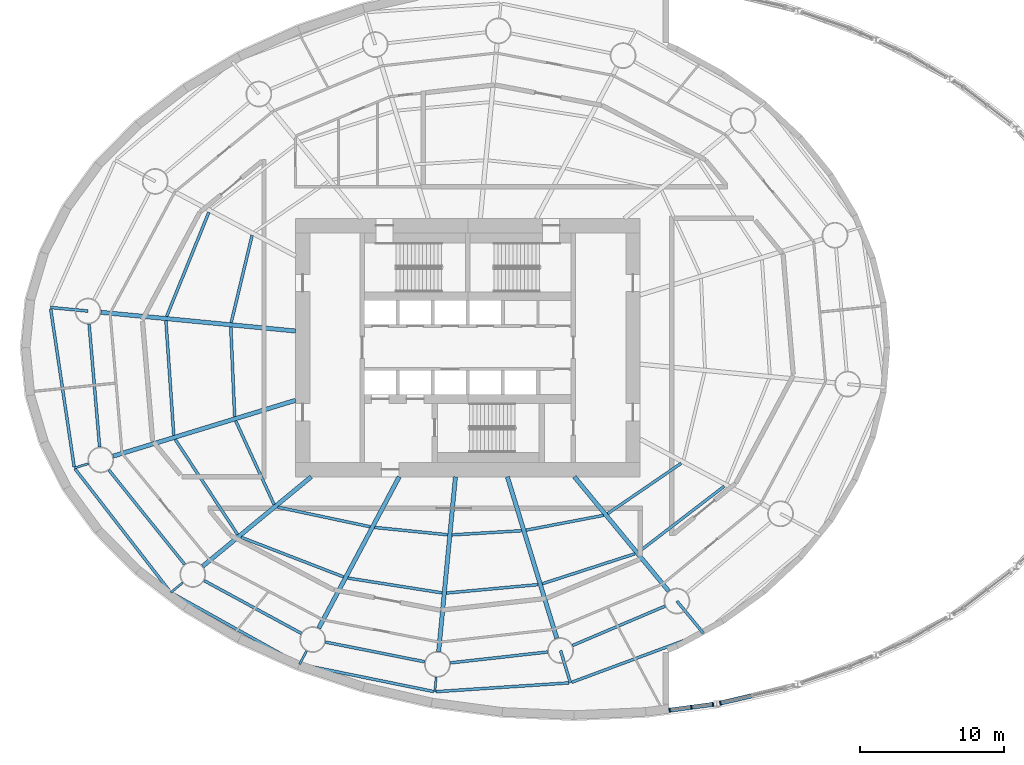
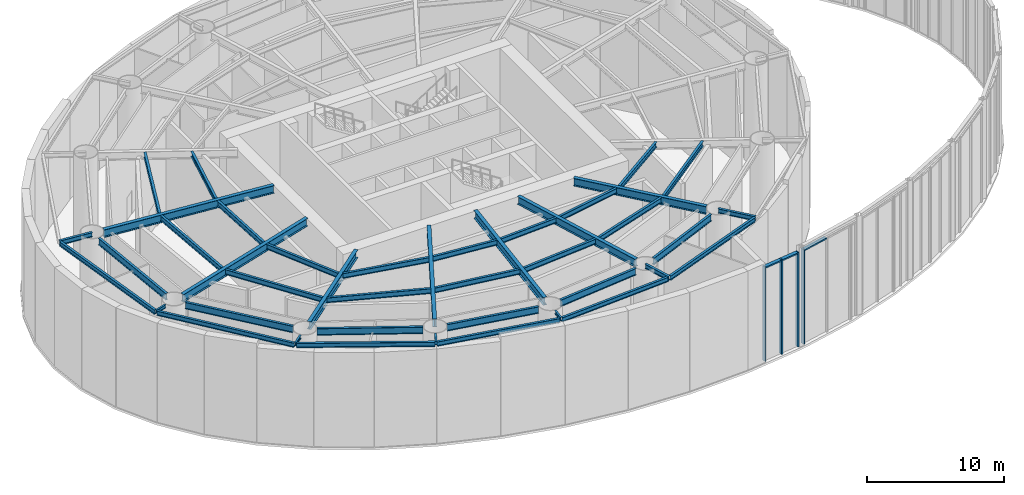
# One storey, part 4 of 19: 42 beams, 7 members, 2 elements without a shape of their own.
"""IFC4 building model written with IfcOpenShell, lengths in metres."""

from ifc_helpers import new_model, si_unit, direction, frame, origin, origin_2d, place, context, subcontext, project, spatial, rectangle, i_section, extrude, material, material_profile, profile_set, type_object, element, aggregate, save


model = new_model("IFC4")

# Units and contexts
model_context = context("Model", 3, precision=1e-05, world=origin(), true_north=direction((0.0, 1.0)))
body_context = subcontext(model_context, "Body", "Model", "MODEL_VIEW")
ifc_project = project(units=[si_unit("LENGTHUNIT", "METRE"), si_unit("AREAUNIT", "SQUARE_METRE"), si_unit("VOLUMEUNIT", "CUBIC_METRE"), si_unit("PLANEANGLEUNIT", "RADIAN"), si_unit("MASSUNIT", "GRAM", prefix="KILO")], contexts=[model_context])

# Site, building, storey
site_placement = place(None, origin())
site = spatial("IfcSite", under=ifc_project, at=site_placement, CompositionType="ELEMENT")
building_placement = place(site_placement, origin())
building = spatial("IfcBuilding", under=site, at=building_placement, Name="Vermilion Reach Broadcast Tower", CompositionType="ELEMENT")
storey_placement = place(building_placement, frame((0.0, 0.0, 17.0)))
storey = spatial("IfcBuildingStorey", under=building, at=storey_placement, Name="L02", CompositionType="ELEMENT", Elevation=17.0)

# Curtain wall, members
ifc_material_1 = material(Name="Low-e laminated clear glass in aluminium frame", Category="aluminium")
curtain_wall_type = type_object("IfcCurtainWallType", Name="Atrium outer wall curtain wall", PredefinedType="NOTDEFINED", material=ifc_material_1)
placement = place(storey_placement, origin())
curtain_wall_1 = element("IfcCurtainWall", 1, at=placement, inside=storey, type_object=curtain_wall_type, Name="Atrium wall L02 01", PredefinedType="NOTDEFINED")
ifc_material_2 = material(Name="Anodised aluminium", Category="aluminium")
ifc_material_profile_1 = material_profile(ifc_material_2, rectangle(XDim=0.300048828125, YDim=0.10009765625, at=origin_2d()), Name="Atrium outer wall mullion 100 x 300")
ifc_profile_set_1 = profile_set([ifc_material_profile_1], Name="Anodised aluminium")
member_type_1 = type_object("IfcMemberType", Name="Atrium outer wall mullion 100 x 300", PredefinedType="MULLION", material=ifc_profile_set_1)
member_1_placement = place(storey_placement, frame((8.062744140625, -25.257568359375, 0.0), z_axis=(0.0, 0.0, 1.0), x_axis=(-0.132793713723, 0.991143697753, 0.0)))
member_1 = element("IfcMember", 2, at=member_1_placement, type_object=member_type_1, Name="Atrium wall mullion L02 01.1", PredefinedType="MULLION", context=body_context, shape_type="SweptSolid", body=[
    extrude(rectangle(XDim=0.300048828125, YDim=0.10009765625, at=origin_2d()), origin(), (0.0, 0.0, 1.0), 8.409912109375),
])
member_2_placement = place(storey_placement, frame((9.569091796875, -25.055908203125, 0.0), z_axis=(0.0, 0.0, 1.0), x_axis=(-0.132793713723, 0.991143697753, 0.0)))
member_2 = element("IfcMember", 3, at=member_2_placement, type_object=member_type_1, Name="Atrium wall mullion L02 01.2", PredefinedType="MULLION", context=body_context, shape_type="SweptSolid", body=[
    extrude(rectangle(XDim=0.300048828125, YDim=0.10009765625, at=origin_2d()), origin(), (0.0, 0.0, 1.0), 8.409912109375),
])
member_3_placement = place(storey_placement, frame((11.075439453125, -24.85400390625, 0.0), z_axis=(0.0, 0.0, 1.0), x_axis=(-0.132793713723, 0.991143697753, 0.0)))
member_3 = element("IfcMember", 4, at=member_3_placement, type_object=member_type_1, Name="Atrium wall mullion L02 01.3", PredefinedType="MULLION", context=body_context, shape_type="SweptSolid", body=[
    extrude(rectangle(XDim=0.300048828125, YDim=0.10009765625, at=origin_2d()), origin(), (0.0, 0.0, 1.0), 8.409912109375),
])

# Curtain wall, member
curtain_wall_2 = element("IfcCurtainWall", 5, at=placement, inside=storey, type_object=curtain_wall_type, Name="Atrium wall L02 02", PredefinedType="NOTDEFINED")
member_4_placement = place(storey_placement, frame((11.594482421875, -24.760009765625, 0.0), z_axis=(0.0, 0.0, 1.0), x_axis=(-0.222891523278, 0.974843253478, 0.0)))
member_4 = element("IfcMember", 6, at=member_4_placement, type_object=member_type_1, Name="Atrium wall mullion L02 02.1", PredefinedType="MULLION", context=body_context, shape_type="SweptSolid", body=[
    extrude(rectangle(XDim=0.300048828125, YDim=0.10009765625, at=origin_2d()), origin(), (0.0, 0.0, 1.0), 8.409912109375),
])

# Member
ifc_material_3 = material(Name="Anodised aluminium", Category="aluminium")
ifc_material_profile_2 = material_profile(ifc_material_3, rectangle(XDim=0.300048828125, YDim=0.1201171875, at=origin_2d()), Name="Atrium outer wall transom 300 x 120")
ifc_profile_set_2 = profile_set([ifc_material_profile_2], Name="Anodised aluminium")
member_type_2 = type_object("IfcMemberType", Name="Atrium outer wall transom 300 x 120", PredefinedType="USERDEFINED", material=ifc_profile_set_2)
member_5_placement = place(storey_placement, frame((8.1123046875, -25.2509765625, 8.35009765625), z_axis=(0.991149634463, 0.132749395872, 0.0), x_axis=(-0.132749395872, 0.991149634463, 0.0)))
member_5 = element("IfcMember", 7, at=member_5_placement, type_object=member_type_2, Name="Atrium wall transom L02 01.1.2", ObjectType="TRANSOM", PredefinedType="USERDEFINED", context=body_context, shape_type="SweptSolid", body=[
    extrude(rectangle(XDim=0.300048828125, YDim=0.1201171875, at=origin_2d()), origin(), (0.0, 0.0, 1.0), 1.419677734375),
])

member_6_placement = place(storey_placement, frame((9.61865234375, -25.049072265625, 8.35009765625), z_axis=(0.991149634463, 0.132749395872, 0.0), x_axis=(-0.132749395872, 0.991149634463, 0.0)))
member_6 = element("IfcMember", 8, at=member_6_placement, type_object=member_type_2, Name="Atrium wall transom L02 01.2.2", ObjectType="TRANSOM", PredefinedType="USERDEFINED", context=body_context, shape_type="SweptSolid", body=[
    extrude(rectangle(XDim=0.300048828125, YDim=0.1201171875, at=origin_2d()), origin(), (0.0, 0.0, 1.0), 1.419677734375),
])

aggregate(curtain_wall_1, [member_1, member_2, member_3, member_5, member_6])

member_7_placement = place(storey_placement, frame((11.643310546875, -24.7490234375, 8.35009765625), z_axis=(0.97483071414, 0.222946358504, 0.0), x_axis=(-0.222946358504, 0.97483071414, 0.0)))
member_7 = element("IfcMember", 9, at=member_7_placement, type_object=member_type_2, Name="Atrium wall transom L02 02.1.2", ObjectType="TRANSOM", PredefinedType="USERDEFINED", context=body_context, shape_type="SweptSolid", body=[
    extrude(rectangle(XDim=0.300048828125, YDim=0.1201171875, at=origin_2d()), origin(), (0.0, 0.0, 1.0), 2.181396484375),
])

aggregate(curtain_wall_2, [member_4, member_7])

# Beams
ifc_material_4 = material(Name="Steel S355J2", Category="steel")
ifc_material_profile_3 = material_profile(ifc_material_4, i_section(OverallWidth=0.199951171875, OverallDepth=0.39990234375, WebThickness=0.008056640625, FlangeThickness=0.012939453125, at=origin_2d()), Name="S355J2 HN 400x200x8x13")
ifc_profile_set_3 = profile_set([ifc_material_profile_3], Name="Steel S355J2")
beam_type_1 = type_object("IfcBeamType", Name="EB1 HN 400x200x8x13", PredefinedType="BEAM", material=ifc_profile_set_3)
beam_1_placement = place(storey_placement, frame((-35.061279296875, 2.692626953125, 8.60009765625), z_axis=(0.147029010253, -0.98913218032, 0.0), x_axis=(0.98913218032, 0.147029010253, 0.0)))
element("IfcBeam", 10, at=beam_1_placement, inside=storey, type_object=beam_type_1, Name="Edge beam EB1-08", PredefinedType="BEAM", context=body_context, shape_type="SweptSolid", body=[
    extrude(i_section(OverallWidth=0.199951171875, OverallDepth=0.39990234375, WebThickness=0.008056640625, FlangeThickness=0.012939453125, at=origin_2d()), origin(), (0.0, 0.0, 1.0), 11.125244140625),
])
beam_2_placement = place(storey_placement, frame((-33.365234375, -8.449951171875, 8.60009765625), z_axis=(0.612374307057, -0.790567965488, 0.0), x_axis=(0.790567965488, 0.612374307057, 0.0)))
element("IfcBeam", 11, at=beam_2_placement, inside=storey, type_object=beam_type_1, Name="Edge beam EB1-09", PredefinedType="BEAM", context=body_context, shape_type="SweptSolid", body=[
    extrude(i_section(OverallWidth=0.199951171875, OverallDepth=0.39990234375, WebThickness=0.008056640625, FlangeThickness=0.012939453125, at=origin_2d()), origin(), (0.0, 0.0, 1.0), 10.821044921875),
])
beam_3_placement = place(storey_placement, frame((-26.62255859375, -17.10302734375, 8.60009765625), z_axis=(0.873686455295, -0.486489442674, 0.0), x_axis=(0.486489442674, 0.873686455295, 0.0)))
element("IfcBeam", 12, at=beam_3_placement, inside=storey, type_object=beam_type_1, Name="Edge beam EB1-10", PredefinedType="BEAM", context=body_context, shape_type="SweptSolid", body=[
    extrude(i_section(OverallWidth=0.199951171875, OverallDepth=0.39990234375, WebThickness=0.008056640625, FlangeThickness=0.012939453125, at=origin_2d()), origin(), (0.0, 0.0, 1.0), 10.110595703125),
])
beam_4_placement = place(storey_placement, frame((-17.64697265625, -22.07373046875, 8.60009765625), z_axis=(0.979888700242, -0.199544819871, 0.0), x_axis=(0.199544819871, 0.979888700242, 0.0)))
element("IfcBeam", 13, at=beam_4_placement, inside=storey, type_object=beam_type_1, Name="Edge beam EB1-11", PredefinedType="BEAM", context=body_context, shape_type="SweptSolid", body=[
    extrude(i_section(OverallWidth=0.199951171875, OverallDepth=0.39990234375, WebThickness=0.008056640625, FlangeThickness=0.012939453125, at=origin_2d()), origin(), (0.0, 0.0, 1.0), 9.458740234375),
])
beam_5_placement = place(storey_placement, frame((-8.228515625, -23.97119140625, 8.60009765625), z_axis=(0.997825669163, 0.065908527213, 0.0), x_axis=(-0.065908527213, 0.997825669163, 0.0)))
element("IfcBeam", 14, at=beam_5_placement, inside=storey, type_object=beam_type_1, Name="Edge beam EB1-12", PredefinedType="BEAM", context=body_context, shape_type="SweptSolid", body=[
    extrude(i_section(OverallWidth=0.199951171875, OverallDepth=0.39990234375, WebThickness=0.008056640625, FlangeThickness=0.012939453125, at=origin_2d()), origin(), (0.0, 0.0, 1.0), 9.290283203125),
])
beam_6_placement = place(storey_placement, frame((1.23779296875, -23.3173828125, 8.60009765625), z_axis=(0.9372716621, 0.348599815582, 0.0), x_axis=(-0.348599815582, 0.9372716621, 0.0)))
element("IfcBeam", 15, at=beam_6_placement, inside=storey, type_object=beam_type_1, Name="Edge beam EB1-13", PredefinedType="BEAM", context=body_context, shape_type="SweptSolid", body=[
    extrude(i_section(OverallWidth=0.199951171875, OverallDepth=0.39990234375, WebThickness=0.008056640625, FlangeThickness=0.012939453125, at=origin_2d()), origin(), (0.0, 0.0, 1.0), 9.684326171875),
])
ifc_material_5 = material(Name="Steel S355J2", Category="steel")
ifc_material_profile_4 = material_profile(ifc_material_5, i_section(OverallWidth=0.300048828125, OverallDepth=0.699951171875, WebThickness=0.012939453125, FlangeThickness=0.02392578125, at=origin_2d()), Name="S355J2 HN 700x300x13x24")
ifc_profile_set_4 = profile_set([ifc_material_profile_4], Name="Steel S355J2")
beam_type_2 = type_object("IfcBeamType", Name="G1 HN 700x300x13x24", PredefinedType="BEAM", material=ifc_profile_set_4)
beam_7_placement = place(storey_placement, frame((-18.0, 1.1533203125, 8.449951171875), z_axis=(-0.995412178872, 0.095679643363, 0.0), x_axis=(-0.095679643363, -0.995412178872, 0.0)))
element("IfcBeam", 16, at=beam_7_placement, inside=storey, type_object=beam_type_2, Name="Girder G1-08", PredefinedType="BEAM", context=body_context, shape_type="SweptSolid", body=[
    extrude(i_section(OverallWidth=0.300048828125, OverallDepth=0.699951171875, WebThickness=0.012939453125, FlangeThickness=0.02392578125, at=origin_2d()), origin(), (0.0, 0.0, 1.0), 13.630859375),
])
beam_8_placement = place(storey_placement, frame((-18.0, -3.671142578125, 8.449951171875), z_axis=(-0.956255735186, -0.292531996409, 0.0), x_axis=(0.292531996409, -0.956255735186, 0.0)))
element("IfcBeam", 17, at=beam_8_placement, inside=storey, type_object=beam_type_2, Name="Girder G1-09", PredefinedType="BEAM", context=body_context, shape_type="SweptSolid", body=[
    extrude(i_section(OverallWidth=0.300048828125, OverallDepth=0.699951171875, WebThickness=0.012939453125, FlangeThickness=0.02392578125, at=origin_2d()), origin(), (0.0, 0.0, 1.0), 13.29638671875),
])
beam_9_placement = place(storey_placement, frame((-16.9140625, -9.0, 8.449951171875), z_axis=(-0.771514256373, -0.636212034005, 0.0), x_axis=(0.636212034005, -0.771514256373, 0.0)))
element("IfcBeam", 18, at=beam_9_placement, inside=storey, type_object=beam_type_2, Name="Girder G1-10", PredefinedType="BEAM", context=body_context, shape_type="SweptSolid", body=[
    extrude(i_section(OverallWidth=0.300048828125, OverallDepth=0.699951171875, WebThickness=0.012939453125, FlangeThickness=0.02392578125, at=origin_2d()), origin(), (0.0, 0.0, 1.0), 9.796142578125),
])
beam_10_placement = place(storey_placement, frame((-10.783447265625, -9.0, 8.449951171875), z_axis=(-0.469312182262, -0.883032318537, 0.0), x_axis=(0.883032318537, -0.469312182262, 0.0)))
element("IfcBeam", 19, at=beam_10_placement, inside=storey, type_object=beam_type_2, Name="Girder G1-11", PredefinedType="BEAM", context=body_context, shape_type="SweptSolid", body=[
    extrude(i_section(OverallWidth=0.300048828125, OverallDepth=0.699951171875, WebThickness=0.012939453125, FlangeThickness=0.02392578125, at=origin_2d()), origin(), (0.0, 0.0, 1.0), 11.94091796875),
])
beam_11_placement = place(storey_placement, frame((-6.864990234375, -9.0, 8.449951171875), z_axis=(-0.09566673912, -0.995413419151, 0.0), x_axis=(0.995413419151, -0.09566673912, 0.0)))
element("IfcBeam", 20, at=beam_11_placement, inside=storey, type_object=beam_type_2, Name="Girder G1-12", PredefinedType="BEAM", context=body_context, shape_type="SweptSolid", body=[
    extrude(i_section(OverallWidth=0.300048828125, OverallDepth=0.699951171875, WebThickness=0.012939453125, FlangeThickness=0.02392578125, at=origin_2d()), origin(), (0.0, 0.0, 1.0), 12.22412109375),
])
beam_12_placement = place(storey_placement, frame((-3.246826171875, -9.0, 8.449951171875), z_axis=(0.292542302886, -0.95625258223, 0.0), x_axis=(0.95625258223, 0.292542302886, 0.0)))
element("IfcBeam", 21, at=beam_12_placement, inside=storey, type_object=beam_type_2, Name="Girder G1-13", PredefinedType="BEAM", context=body_context, shape_type="SweptSolid", body=[
    extrude(i_section(OverallWidth=0.300048828125, OverallDepth=0.699951171875, WebThickness=0.012939453125, FlangeThickness=0.02392578125, at=origin_2d()), origin(), (0.0, 0.0, 1.0), 11.76220703125),
])
beam_13_placement = place(storey_placement, frame((1.421630859375, -9.0, 8.449951171875), z_axis=(0.636215165107, -0.77151167437, 0.0), x_axis=(0.77151167437, 0.636215165107, 0.0)))
element("IfcBeam", 22, at=beam_13_placement, inside=storey, type_object=beam_type_2, Name="Girder G1-14", PredefinedType="BEAM", context=body_context, shape_type="SweptSolid", body=[
    extrude(i_section(OverallWidth=0.300048828125, OverallDepth=0.699951171875, WebThickness=0.012939453125, FlangeThickness=0.02392578125, at=origin_2d()), origin(), (0.0, 0.0, 1.0), 10.3251953125),
])
ifc_material_6 = material(Name="Steel S355J2", Category="steel")
ifc_material_profile_5 = material_profile(ifc_material_6, i_section(OverallWidth=0.199951171875, OverallDepth=0.39990234375, WebThickness=0.008056640625, FlangeThickness=0.012939453125, at=origin_2d()), Name="S355J2 HN 400x200x8x13")
ifc_profile_set_5 = profile_set([ifc_material_profile_5], Name="Steel S355J2")
beam_type_3 = type_object("IfcBeamType", Name="GC1 HN 400x200x8x13", PredefinedType="BEAM", material=ifc_profile_set_5)
beam_14_placement = place(storey_placement, frame((-32.464111328125, 2.54345703125, 8.60009765625), z_axis=(-0.995407665441, 0.095726587639, 0.0), x_axis=(-0.095726587639, -0.995407665441, 0.0)))
element("IfcBeam", 23, at=beam_14_placement, inside=storey, type_object=beam_type_3, Name="Cantilever girder GC1-08", PredefinedType="BEAM", context=body_context, shape_type="SweptSolid", body=[
    extrude(i_section(OverallWidth=0.199951171875, OverallDepth=0.39990234375, WebThickness=0.008056640625, FlangeThickness=0.012939453125, at=origin_2d()), origin(), (0.0, 0.0, 1.0), 2.624267578125),
])
beam_15_placement = place(storey_placement, frame((0.45751953125, -21.108154296875, 8.60009765625), z_axis=(0.292535678809, -0.956254608681, 0.0), x_axis=(0.956254608681, 0.292535678809, 0.0)))
element("IfcBeam", 24, at=beam_15_placement, inside=storey, type_object=beam_type_3, Name="Cantilever girder GC1-13", PredefinedType="BEAM", context=body_context, shape_type="SweptSolid", body=[
    extrude(i_section(OverallWidth=0.199951171875, OverallDepth=0.39990234375, WebThickness=0.008056640625, FlangeThickness=0.012939453125, at=origin_2d()), origin(), (0.0, 0.0, 1.0), 2.346923828125),
])
beam_16_placement = place(storey_placement, frame((8.563232421875, -17.660400390625, 8.60009765625), z_axis=(0.636213137876, -0.771513346089, 0.0), x_axis=(0.771513346089, 0.636213137876, 0.0)))
element("IfcBeam", 25, at=beam_16_placement, inside=storey, type_object=beam_type_3, Name="Cantilever girder GC1-14", PredefinedType="BEAM", context=body_context, shape_type="SweptSolid", body=[
    extrude(i_section(OverallWidth=0.199951171875, OverallDepth=0.39990234375, WebThickness=0.008056640625, FlangeThickness=0.012939453125, at=origin_2d()), origin(), (0.0, 0.0, 1.0), 2.90869140625),
])
ifc_material_7 = material(Name="Steel S355J2", Category="steel")
ifc_material_profile_6 = material_profile(ifc_material_7, i_section(OverallWidth=0.14990234375, OverallDepth=0.300048828125, WebThickness=0.006591796875, FlangeThickness=0.009033203125, at=origin_2d()), Name="S355J2 HN 300x150x6.5x9")
ifc_profile_set_6 = profile_set([ifc_material_profile_6], Name="Steel S355J2")
beam_type_4 = type_object("IfcBeamType", Name="GS1 HN 300x150x6.5x9", PredefinedType="BEAM", material=ifc_profile_set_6)
beam_17_placement = place(storey_placement, frame((-32.43603515625, -8.08740234375, 8.64990234375), z_axis=(-0.956262624381, -0.292509475422, 0.0), x_axis=(0.292509475422, -0.956262624381, 0.0)))
element("IfcBeam", 26, at=beam_17_placement, inside=storey, type_object=beam_type_4, Name="Cantilever stub GS1-09", PredefinedType="BEAM", context=body_context, shape_type="SweptSolid", body=[
    extrude(i_section(OverallWidth=0.14990234375, OverallDepth=0.300048828125, WebThickness=0.006591796875, FlangeThickness=0.009033203125, at=origin_2d()), origin(), (0.0, 0.0, 1.0), 1.023193359375),
])
beam_18_placement = place(storey_placement, frame((-25.860595703125, -16.377685546875, 8.64990234375), z_axis=(-0.771531570629, -0.636191036972, 0.0), x_axis=(0.636191036972, -0.771531570629, 0.0)))
element("IfcBeam", 27, at=beam_18_placement, inside=storey, type_object=beam_type_4, Name="Cantilever stub GS1-10", PredefinedType="BEAM", context=body_context, shape_type="SweptSolid", body=[
    extrude(i_section(OverallWidth=0.14990234375, OverallDepth=0.300048828125, WebThickness=0.006591796875, FlangeThickness=0.009033203125, at=origin_2d()), origin(), (0.0, 0.0, 1.0), 1.07861328125),
])
beam_19_placement = place(storey_placement, frame((-17.232177734375, -21.1337890625, 8.64990234375), z_axis=(-0.469462125124, -0.882952610888, 0.0), x_axis=(0.882952610888, -0.469462125124, 0.0)))
element("IfcBeam", 28, at=beam_19_placement, inside=storey, type_object=beam_type_4, Name="Cantilever stub GS1-11", PredefinedType="BEAM", context=body_context, shape_type="SweptSolid", body=[
    extrude(i_section(OverallWidth=0.14990234375, OverallDepth=0.300048828125, WebThickness=0.006591796875, FlangeThickness=0.009033203125, at=origin_2d()), origin(), (0.0, 0.0, 1.0), 1.046875),
])
beam_20_placement = place(storey_placement, frame((-8.206787109375, -22.959716796875, 8.64990234375), z_axis=(-0.095621304963, -0.99541778467, 0.0), x_axis=(0.99541778467, -0.095621304963, 0.0)))
element("IfcBeam", 29, at=beam_20_placement, inside=storey, type_object=beam_type_4, Name="Cantilever stub GS1-12", PredefinedType="BEAM", context=body_context, shape_type="SweptSolid", body=[
    extrude(i_section(OverallWidth=0.14990234375, OverallDepth=0.300048828125, WebThickness=0.006591796875, FlangeThickness=0.009033203125, at=origin_2d()), origin(), (0.0, 0.0, 1.0), 1.021240234375),
])
ifc_material_8 = material(Name="Steel S355J2", Category="steel")
ifc_material_profile_7 = material_profile(ifc_material_8, i_section(OverallWidth=0.199951171875, OverallDepth=0.60009765625, WebThickness=0.010986328125, FlangeThickness=0.01708984375, at=origin_2d()), Name="S355J2 HN 600x200x11x17")
ifc_profile_set_7 = profile_set([ifc_material_profile_7], Name="Steel S355J2")
beam_type_5 = type_object("IfcBeamType", Name="RB1 HN 600x200x11x17", PredefinedType="BEAM", material=ifc_profile_set_7)
beam_21_placement = place(storey_placement, frame((-32.38720703125, 1.646728515625, 8.5), z_axis=(0.085395508608, -0.996347131832, 0.0), x_axis=(0.996347131832, 0.085395508608, 0.0)))
element("IfcBeam", 30, at=beam_21_placement, inside=storey, type_object=beam_type_5, Name="Ring beam RB1-08", PredefinedType="BEAM", context=body_context, shape_type="SweptSolid", body=[
    extrude(i_section(OverallWidth=0.199951171875, OverallDepth=0.60009765625, WebThickness=0.010986328125, FlangeThickness=0.01708984375, at=origin_2d()), origin(), (0.0, 0.0, 1.0), 8.60546875),
])
beam_22_placement = place(storey_placement, frame((-31.011962890625, -8.52587890625, 8.5), z_axis=(0.626162157191, -0.779692858055, 0.0), x_axis=(0.779692858055, 0.626162157191, 0.0)))
element("IfcBeam", 31, at=beam_22_placement, inside=storey, type_object=beam_type_5, Name="Ring beam RB1-09", PredefinedType="BEAM", context=body_context, shape_type="SweptSolid", body=[
    extrude(i_section(OverallWidth=0.199951171875, OverallDepth=0.60009765625, WebThickness=0.010986328125, FlangeThickness=0.01708984375, at=origin_2d()), origin(), (0.0, 0.0, 1.0), 8.435791015625),
])
beam_23_placement = place(storey_placement, frame((-24.375244140625, -16.234130859375, 8.5), z_axis=(0.878962319551, -0.476891225344, 0.0), x_axis=(0.476891225344, 0.878962319551, 0.0)))
element("IfcBeam", 32, at=beam_23_placement, inside=storey, type_object=beam_type_5, Name="Ring beam RB1-10", PredefinedType="BEAM", context=body_context, shape_type="SweptSolid", body=[
    extrude(i_section(OverallWidth=0.199951171875, OverallDepth=0.60009765625, WebThickness=0.010986328125, FlangeThickness=0.01708984375, at=origin_2d()), origin(), (0.0, 0.0, 1.0), 7.707275390625),
])
beam_24_placement = place(storey_placement, frame((-15.927001953125, -20.51416015625, 8.5), z_axis=(0.980857717995, -0.194725799651, 0.0), x_axis=(0.194725799651, 0.980857717995, 0.0)))
element("IfcBeam", 33, at=beam_24_placement, inside=storey, type_object=beam_type_5, Name="Ring beam RB1-11", PredefinedType="BEAM", context=body_context, shape_type="SweptSolid", body=[
    extrude(i_section(OverallWidth=0.199951171875, OverallDepth=0.60009765625, WebThickness=0.010986328125, FlangeThickness=0.01708984375, at=origin_2d()), origin(), (0.0, 0.0, 1.0), 7.05859375),
])
beam_25_placement = place(storey_placement, frame((-7.22607421875, -21.964111328125, 8.5), z_axis=(0.993851439324, 0.110721798009, 0.0), x_axis=(-0.110721798009, 0.993851439324, 0.0)))
element("IfcBeam", 34, at=beam_25_placement, inside=storey, type_object=beam_type_5, Name="Ring beam RB1-12", PredefinedType="BEAM", context=body_context, shape_type="SweptSolid", body=[
    extrude(i_section(OverallWidth=0.199951171875, OverallDepth=0.60009765625, WebThickness=0.010986328125, FlangeThickness=0.01708984375, at=origin_2d()), origin(), (0.0, 0.0, 1.0), 6.8310546875),
])
beam_26_placement = place(storey_placement, frame((1.28564453125, -20.755859375, 8.5), z_axis=(0.920220846584, 0.391399531825, 0.0), x_axis=(-0.391399531825, 0.920220846584, 0.0)))
element("IfcBeam", 35, at=beam_26_placement, inside=storey, type_object=beam_type_5, Name="Ring beam RB1-13", PredefinedType="BEAM", context=body_context, shape_type="SweptSolid", body=[
    extrude(i_section(OverallWidth=0.199951171875, OverallDepth=0.60009765625, WebThickness=0.010986328125, FlangeThickness=0.01708984375, at=origin_2d()), origin(), (0.0, 0.0, 1.0), 7.008544921875),
])
ifc_material_9 = material(Name="Steel S355J2", Category="steel")
ifc_material_profile_8 = material_profile(ifc_material_9, i_section(OverallWidth=0.199951171875, OverallDepth=0.449951171875, WebThickness=0.009033203125, FlangeThickness=0.013916015625, at=origin_2d()), Name="S355J2 HN 450x200x9x14")
ifc_profile_set_8 = profile_set([ifc_material_profile_8], Name="Steel S355J2")
beam_type_6 = type_object("IfcBeamType", Name="SB1 HN 450x200x9x14", PredefinedType="BEAM", material=ifc_profile_set_8)
beam_27_placement = place(storey_placement, frame((-21.031005859375, 7.81884765625, 8.574951171875), z_axis=(-0.232844467589, -0.972513986487, 0.0), x_axis=(0.972513986487, -0.232844467589, 0.0)))
element("IfcBeam", 36, at=beam_27_placement, inside=storey, type_object=beam_type_6, Name="Secondary beam SB1-07-1", PredefinedType="BEAM", context=body_context, shape_type="SweptSolid", body=[
    extrude(i_section(OverallWidth=0.199951171875, OverallDepth=0.449951171875, WebThickness=0.009033203125, FlangeThickness=0.013916015625, at=origin_2d()), origin(), (0.0, 0.0, 1.0), 6.25537109375),
])
beam_28_placement = place(storey_placement, frame((-24.046630859375, 9.421630859375, 8.574951171875), z_axis=(-0.375640669938, -0.926765389453, 0.0), x_axis=(0.926765389453, -0.375640669938, 0.0)))
element("IfcBeam", 37, at=beam_28_placement, inside=storey, type_object=beam_type_6, Name="Secondary beam SB1-07-2", PredefinedType="BEAM", context=body_context, shape_type="SweptSolid", body=[
    extrude(i_section(OverallWidth=0.199951171875, OverallDepth=0.449951171875, WebThickness=0.009033203125, FlangeThickness=0.013916015625, at=origin_2d()), origin(), (0.0, 0.0, 1.0), 7.8271484375),
])
beam_29_placement = place(storey_placement, frame((-22.51611328125, 1.436767578125, 8.574951171875), z_axis=(0.043361007512, -0.999059469215, 0.0), x_axis=(0.999059469215, 0.043361007512, 0.0)))
element("IfcBeam", 38, at=beam_29_placement, inside=storey, type_object=beam_type_6, Name="Secondary beam SB1-08-1", PredefinedType="BEAM", context=body_context, shape_type="SweptSolid", body=[
    extrude(i_section(OverallWidth=0.199951171875, OverallDepth=0.449951171875, WebThickness=0.009033203125, FlangeThickness=0.013916015625, at=origin_2d()), origin(), (0.0, 0.0, 1.0), 6.25537109375),
])
beam_30_placement = place(storey_placement, frame((-27.03515625, 1.87109375, 8.574951171875), z_axis=(0.068507801475, -0.997650580683, 0.0), x_axis=(0.997650580683, 0.068507801475, 0.0)))
element("IfcBeam", 39, at=beam_30_placement, inside=storey, type_object=beam_type_6, Name="Secondary beam SB1-08-2", PredefinedType="BEAM", context=body_context, shape_type="SweptSolid", body=[
    extrude(i_section(OverallWidth=0.199951171875, OverallDepth=0.449951171875, WebThickness=0.009033203125, FlangeThickness=0.013916015625, at=origin_2d()), origin(), (0.0, 0.0, 1.0), 8.00048828125),
])
beam_31_placement = place(storey_placement, frame((-22.175048828125, -5.105224609375, 8.574951171875), z_axis=(0.417211452529, -0.908809443106, 0.0), x_axis=(0.908809443106, 0.417211452529, 0.0)))
element("IfcBeam", 40, at=beam_31_placement, inside=storey, type_object=beam_type_6, Name="Secondary beam SB1-09-1", PredefinedType="BEAM", context=body_context, shape_type="SweptSolid", body=[
    extrude(i_section(OverallWidth=0.199951171875, OverallDepth=0.449951171875, WebThickness=0.009033203125, FlangeThickness=0.013916015625, at=origin_2d()), origin(), (0.0, 0.0, 1.0), 6.41650390625),
])
beam_32_placement = place(storey_placement, frame((-26.390625, -6.394775390625, 8.574951171875), z_axis=(0.548800909102, -0.835953086105, 0.0), x_axis=(0.835953086105, 0.548800909102, 0.0)))
element("IfcBeam", 41, at=beam_32_placement, inside=storey, type_object=beam_type_6, Name="Secondary beam SB1-09-2", PredefinedType="BEAM", context=body_context, shape_type="SweptSolid", body=[
    extrude(i_section(OverallWidth=0.199951171875, OverallDepth=0.449951171875, WebThickness=0.009033203125, FlangeThickness=0.013916015625, at=origin_2d()), origin(), (0.0, 0.0, 1.0), 7.935791015625),
])
beam_33_placement = place(storey_placement, frame((-19.24560546875, -11.1171875, 8.574951171875), z_axis=(0.978270372412, -0.207333254596, 0.0), x_axis=(0.207333254596, 0.978270372412, 0.0)))
element("IfcBeam", 42, at=beam_33_placement, inside=storey, type_object=beam_type_6, Name="Secondary beam SB1-10-1", PredefinedType="BEAM", context=body_context, shape_type="SweptSolid", body=[
    extrude(i_section(OverallWidth=0.199951171875, OverallDepth=0.449951171875, WebThickness=0.009033203125, FlangeThickness=0.013916015625, at=origin_2d()), origin(), (0.0, 0.0, 1.0), 6.584716796875),
])
beam_34_placement = place(storey_placement, frame((-21.7919921875, -13.217041015625, 8.574951171875), z_axis=(0.932680743753, -0.360702966765, 0.0), x_axis=(0.360702966765, 0.932680743753, 0.0)))
element("IfcBeam", 43, at=beam_34_placement, inside=storey, type_object=beam_type_6, Name="Secondary beam SB1-10-2", PredefinedType="BEAM", context=body_context, shape_type="SweptSolid", body=[
    extrude(i_section(OverallWidth=0.199951171875, OverallDepth=0.449951171875, WebThickness=0.009033203125, FlangeThickness=0.013916015625, at=origin_2d()), origin(), (0.0, 0.0, 1.0), 7.646240234375),
])
beam_35_placement = place(storey_placement, frame((-12.490234375, -12.531005859375, 8.574951171875), z_axis=(0.995010199331, -0.099773259079, 0.0), x_axis=(0.099773259079, 0.995010199331, 0.0)))
element("IfcBeam", 44, at=beam_35_placement, inside=storey, type_object=beam_type_6, Name="Secondary beam SB1-11-1", PredefinedType="BEAM", context=body_context, shape_type="SweptSolid", body=[
    extrude(i_section(OverallWidth=0.199951171875, OverallDepth=0.449951171875, WebThickness=0.009033203125, FlangeThickness=0.013916015625, at=origin_2d()), origin(), (0.0, 0.0, 1.0), 5.111572265625),
])
beam_36_placement = place(storey_placement, frame((-14.36279296875, -16.05419921875, 8.574951171875), z_axis=(0.987829548379, -0.155540294938, 0.0), x_axis=(0.155540294938, 0.987829548379, 0.0)))
element("IfcBeam", 45, at=beam_36_placement, inside=storey, type_object=beam_type_6, Name="Secondary beam SB1-11-2", PredefinedType="BEAM", context=body_context, shape_type="SweptSolid", body=[
    extrude(i_section(OverallWidth=0.199951171875, OverallDepth=0.449951171875, WebThickness=0.009033203125, FlangeThickness=0.013916015625, at=origin_2d()), origin(), (0.0, 0.0, 1.0), 6.650634765625),
])
beam_37_placement = place(storey_placement, frame((-7.103271484375, -13.046875, 8.574951171875), z_axis=(0.99823410974, 0.059402543307, 0.0), x_axis=(-0.059402543307, 0.99823410974, 0.0)))
element("IfcBeam", 46, at=beam_37_placement, inside=storey, type_object=beam_type_6, Name="Secondary beam SB1-12-1", PredefinedType="BEAM", context=body_context, shape_type="SweptSolid", body=[
    extrude(i_section(OverallWidth=0.199951171875, OverallDepth=0.449951171875, WebThickness=0.009033203125, FlangeThickness=0.013916015625, at=origin_2d()), origin(), (0.0, 0.0, 1.0), 4.85791015625),
])
beam_38_placement = place(storey_placement, frame((-7.49267578125, -17.09814453125, 8.574951171875), z_axis=(0.995818616382, 0.091352521952, 0.0), x_axis=(-0.091352521952, 0.995818616382, 0.0)))
element("IfcBeam", 47, at=beam_38_placement, inside=storey, type_object=beam_type_6, Name="Secondary beam SB1-12-2", PredefinedType="BEAM", context=body_context, shape_type="SweptSolid", body=[
    extrude(i_section(OverallWidth=0.199951171875, OverallDepth=0.449951171875, WebThickness=0.009033203125, FlangeThickness=0.013916015625, at=origin_2d()), origin(), (0.0, 0.0, 1.0), 6.4140625),
])
beam_39_placement = place(storey_placement, frame((-1.95166015625, -12.720703125, 8.574951171875), z_axis=(0.982151348822, 0.188092339045, 0.0), x_axis=(-0.188092339045, 0.982151348822, 0.0)))
element("IfcBeam", 48, at=beam_39_placement, inside=storey, type_object=beam_type_6, Name="Secondary beam SB1-13-1", PredefinedType="BEAM", context=body_context, shape_type="SweptSolid", body=[
    extrude(i_section(OverallWidth=0.199951171875, OverallDepth=0.449951171875, WebThickness=0.009033203125, FlangeThickness=0.013916015625, at=origin_2d()), origin(), (0.0, 0.0, 1.0), 5.4931640625),
])
beam_40_placement = place(storey_placement, frame((-0.81005859375, -16.4521484375, 8.574951171875), z_axis=(0.951332300844, 0.308166924523, 0.0), x_axis=(-0.308166924523, 0.951332300844, 0.0)))
element("IfcBeam", 49, at=beam_40_placement, inside=storey, type_object=beam_type_6, Name="Secondary beam SB1-13-2", PredefinedType="BEAM", context=body_context, shape_type="SweptSolid", body=[
    extrude(i_section(OverallWidth=0.199951171875, OverallDepth=0.449951171875, WebThickness=0.009033203125, FlangeThickness=0.013916015625, at=origin_2d()), origin(), (0.0, 0.0, 1.0), 6.787841796875),
])
beam_41_placement = place(storey_placement, frame((3.735595703125, -11.5703125, 8.574951171875), z_axis=(0.825140253447, 0.564927926502, 0.0), x_axis=(-0.564927926502, 0.825140253447, 0.0)))
element("IfcBeam", 50, at=beam_41_placement, inside=storey, type_object=beam_type_6, Name="Secondary beam SB1-14-1", PredefinedType="BEAM", context=body_context, shape_type="SweptSolid", body=[
    extrude(i_section(OverallWidth=0.199951171875, OverallDepth=0.449951171875, WebThickness=0.009033203125, FlangeThickness=0.013916015625, at=origin_2d()), origin(), (0.0, 0.0, 1.0), 6.20458984375),
])
beam_42_placement = place(storey_placement, frame((5.920166015625, -14.21923828125, 8.574951171875), z_axis=(0.793349617473, 0.60876628065, 0.0), x_axis=(-0.60876628065, 0.793349617473, 0.0)))
element("IfcBeam", 51, at=beam_42_placement, inside=storey, type_object=beam_type_6, Name="Secondary beam SB1-14-2", PredefinedType="BEAM", context=body_context, shape_type="SweptSolid", body=[
    extrude(i_section(OverallWidth=0.199951171875, OverallDepth=0.449951171875, WebThickness=0.009033203125, FlangeThickness=0.013916015625, at=origin_2d()), origin(), (0.0, 0.0, 1.0), 7.486328125),
])

save(model, "model.ifc")
